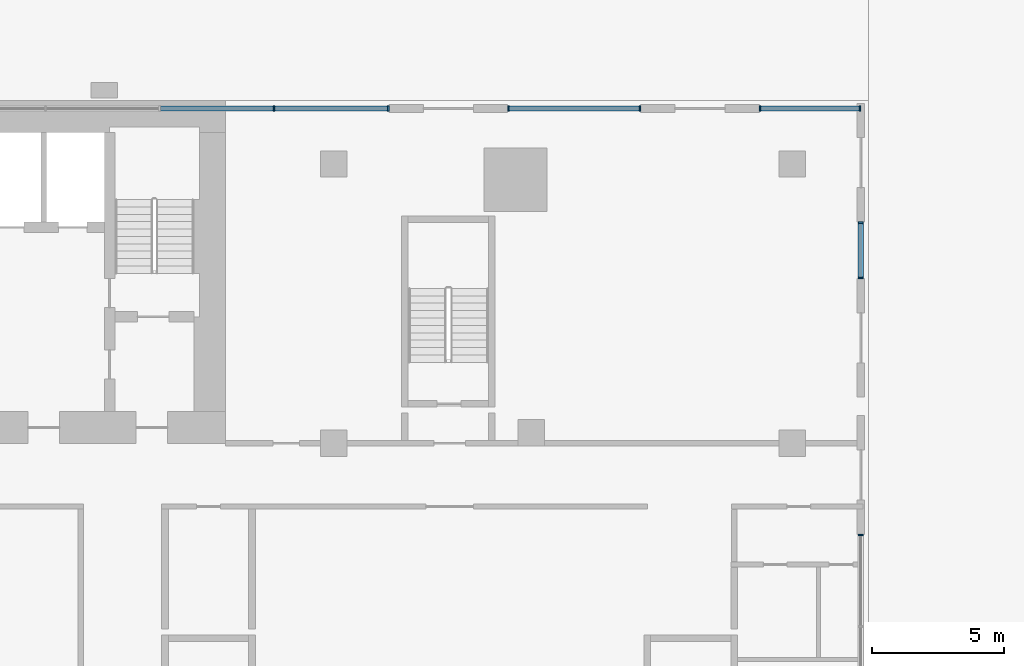
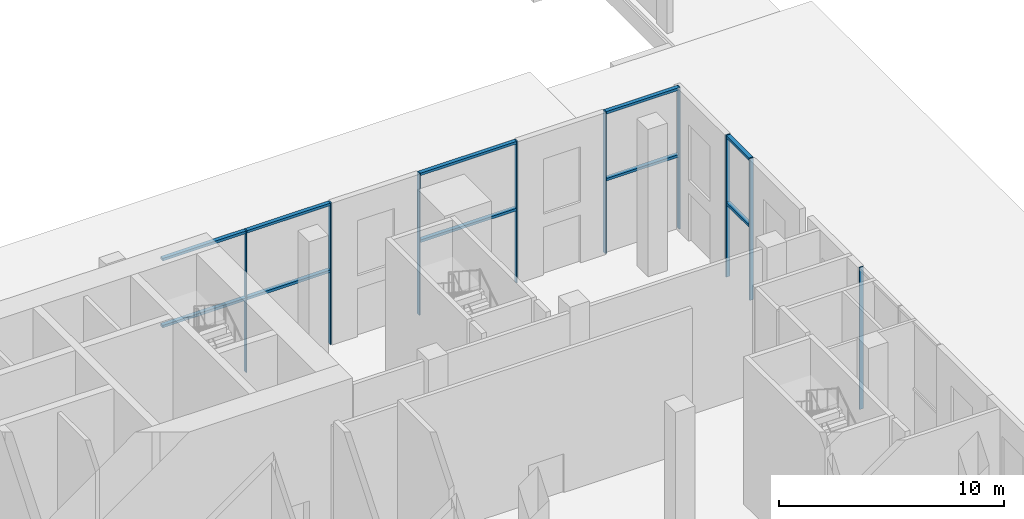
# One storey, part 15 of 31: 19 members, 5 elements without a shape of their own.
"""IFC4 building model written with IfcOpenShell, lengths in metres."""

import ifcopenshell
import ifcopenshell.guid

model = None  # the IFC model being written
_history = None  # IfcOwnerHistory: only IFC2X3 demands one
_inside = {}  # id of a spatial element -> (the spatial element, [elements in it])
_under = {}  # id of a project, library or spatial element -> (it, [spatial elements below it])
_declared = {}  # id of a project -> (the project, [libraries it declares])
_typed = {}  # id of a type object -> (the type object, [elements of that type])
_made_of = {}  # id of a material, layer set ... -> (it, [elements and type objects made of it])


def new_model(schema):
    """Start an empty IFC model of exactly this schema.

    Asked for "IFC4X3", IfcOpenShell would pick the latest addendum, in which some entities
    have other attributes; the version numbers below select the first issue.
    IFC2X3 requires an IfcOwnerHistory on every rooted entity: one is made here for all.
    """
    global model, _history
    if schema == "IFC4X3":
        model = ifcopenshell.file(schema_version=(4, 3, 0, 0))
    else:
        model = ifcopenshell.file(schema=schema)
    _inside.clear()
    _under.clear()
    _declared.clear()
    _typed.clear()
    _made_of.clear()
    _history = None
    if model.schema == "IFC2X3":
        org = make("IfcOrganization", Name="unknown")
        user = make(
            "IfcPersonAndOrganization",
            ThePerson=make("IfcPerson", FamilyName="unknown"),
            TheOrganization=org,
        )
        app = make(
            "IfcApplication",
            ApplicationDeveloper=org,
            Version="unknown",
            ApplicationFullName="unknown",
            ApplicationIdentifier="unknown",
        )
        _history = make(
            "IfcOwnerHistory",
            OwningUser=user,
            OwningApplication=app,
            ChangeAction="ADDED",
            CreationDate=0,
        )
    return model


def make(cls, **values):
    """One entity of the class cls with the attributes given. An attribute that is None is left unset."""
    return model.create_entity(
        cls, **{name: value for name, value in values.items() if value is not None}
    )


def rooted(cls, **values):
    """An entity with a GlobalId (a new one), such as an element, a storey or a relation."""
    return make(cls, GlobalId=ifcopenshell.guid.new(), OwnerHistory=_history, **values)


def si_unit(unit_type, name, prefix=None):
    """IfcSIUnit, for example si_unit("LENGTHUNIT", "METRE", prefix="MILLI")."""
    return make("IfcSIUnit", UnitType=unit_type, Prefix=prefix, Name=name)


def assignment(units):
    """IfcUnitAssignment: the units of a project."""
    return None if units is None else make("IfcUnitAssignment", Units=units)


def point(xyz):
    """IfcCartesianPoint."""
    return None if xyz is None else make("IfcCartesianPoint", Coordinates=xyz)


def direction(xyz):
    """IfcDirection."""
    return None if xyz is None else make("IfcDirection", DirectionRatios=xyz)


def frame(location, z_axis=None, x_axis=None):
    """IfcAxis2Placement3D, a coordinate frame: its origin and axes. An axis left out is left unset."""
    return make(
        "IfcAxis2Placement3D",
        Location=point(location),
        Axis=direction(z_axis),
        RefDirection=direction(x_axis),
    )


def frame_2d(location, x_axis=None):
    """IfcAxis2Placement2D, a coordinate frame in the plane: its origin and x axis."""
    return make(
        "IfcAxis2Placement2D", Location=point(location), RefDirection=direction(x_axis)
    )


def origin():
    """The frame at (0, 0, 0) with its axes left unset."""
    return frame((0.0, 0.0, 0.0))


def origin_2d():
    """The frame at (0, 0) in the plane with its x axis left unset."""
    return frame_2d((0.0, 0.0))


def place(relative_to, where):
    """IfcLocalPlacement: puts the frame where relative to a parent placement (None: the world)."""
    return make(
        "IfcLocalPlacement", PlacementRelTo=relative_to, RelativePlacement=where
    )


def context(
    kind, dimensions, precision=None, world=None, true_north=None, identifier=None
):
    """IfcGeometricRepresentationContext, for example the 3D "Model" context."""
    return make(
        "IfcGeometricRepresentationContext",
        ContextIdentifier=identifier,
        ContextType=kind,
        CoordinateSpaceDimension=dimensions,
        Precision=precision,
        WorldCoordinateSystem=world,
        TrueNorth=true_north,
    )


def subcontext(parent, identifier, kind, view, scale=None):
    """IfcGeometricRepresentationSubContext, for example "Body" below "Model"."""
    return make(
        "IfcGeometricRepresentationSubContext",
        ContextIdentifier=identifier,
        ContextType=kind,
        ParentContext=parent,
        TargetScale=scale,
        TargetView=view,
    )


def project(units=None, contexts=None):
    """IfcProject with its units and contexts."""
    return rooted(
        "IfcProject",
        Name="project",
        RepresentationContexts=contexts,
        UnitsInContext=assignment(units),
    )


def spatial(cls, under=None, at=None, **own):
    """A site, building, storey or space (cls), placed at a placement, below another one or the project."""
    s = rooted(cls, ObjectPlacement=at, **own)
    if under is not None:
        _under.setdefault(under.id(), (under, []))[1].append(s)
    return s


def profile(cls, at=None, kind="AREA", **sizes):
    """A parametric profile (cls). Its sizes go by their IFC names, for example OverallWidth=200.0."""
    return make(cls, ProfileType=kind, Position=at, **sizes)


def rectangle(**sizes):
    """IfcRectangleProfileDef."""
    return profile("IfcRectangleProfileDef", **sizes)


def extrude(swept, where, along, depth):
    """IfcExtrudedAreaSolid: the profile swept, set in the frame where, extruded along a direction by depth."""
    return make(
        "IfcExtrudedAreaSolid",
        SweptArea=swept,
        Position=where,
        ExtrudedDirection=direction(along),
        Depth=depth,
    )


def shape(context_of_items, identifier, shape_type, items):
    """IfcShapeRepresentation: the items that make up one representation, for example the "Body"."""
    return make(
        "IfcShapeRepresentation",
        ContextOfItems=context_of_items,
        RepresentationIdentifier=identifier,
        RepresentationType=shape_type,
        Items=items,
    )


def material(Name=None, Category=None):
    """IfcMaterial."""
    return make("IfcMaterial", Name=Name, Category=Category)


def material_profile(
    of_material, cross_section, Name=None, Category=None, Priority=None
):
    """IfcMaterialProfile: a cross section and its material."""
    return make(
        "IfcMaterialProfile",
        Name=Name,
        Material=of_material,
        Profile=cross_section,
        Priority=Priority,
        Category=Category,
    )


def profile_set(profiles, Name=None, composite=None):
    """IfcMaterialProfileSet."""
    return make(
        "IfcMaterialProfileSet",
        Name=Name,
        MaterialProfiles=profiles,
        CompositeProfile=composite,
    )


def made_of(thing, what):
    """Note that an element or type object is made of a material, layer set ...; save() writes the relation."""
    if what is not None:
        _made_of.setdefault(what.id(), (what, []))[1].append(thing)
    return thing


def type_object(cls, material=None, **own):
    """A type object (cls), such as IfcWallType, which elements share."""
    return made_of(rooted(cls, **own), material)


def element(
    cls,
    number,
    at=None,
    inside=None,
    cuts=None,
    type_object=None,
    material=None,
    context=None,
    identifier="Body",
    shape_type=None,
    held_by="IfcProductDefinitionShape",
    body=None,
    shapes=None,
    **own,
):
    """One element of the class cls, such as IfcWall. Its Tag is "e" and its number.

    at: its placement. inside: the storey or other place that contains it. cuts: it is an
    opening in that element (IfcRelVoidsElement). A single representation is given by context,
    identifier, shape_type and body (its items); several are given by shapes. held_by: the class
    of the entity that holds the representations. save() writes the other relations.
    """
    e = rooted(cls, Tag="e%d" % number, ObjectPlacement=at, **own)
    if body is not None:
        shapes = [shape(context, identifier, shape_type, body)]
    if shapes is not None:
        e.Representation = make(held_by, Representations=shapes)
    if inside is not None:
        _inside.setdefault(inside.id(), (inside, []))[1].append(e)
    if cuts is not None:
        rooted(
            "IfcRelVoidsElement", RelatingBuildingElement=cuts, RelatedOpeningElement=e
        )
    if type_object is not None:
        _typed.setdefault(type_object.id(), (type_object, []))[1].append(e)
    return made_of(e, material)


def aggregate(whole, parts):
    """IfcRelAggregates: a whole, such as a stair, and the parts it consists of."""
    return rooted("IfcRelAggregates", RelatingObject=whole, RelatedObjects=parts)


def save(model, path):
    """Write the relations noted so far, then the file.

    IfcRelAggregates (storeys below a building ...), IfcRelContainedInSpatialStructure (elements
    in a storey), IfcRelDefinesByType, IfcRelAssociatesMaterial and IfcRelDeclares: one each for
    every whole, place, type object, material and project.
    """
    for whole, parts in _under.values():
        aggregate(whole, parts)
    for where, things in _inside.values():
        rooted(
            "IfcRelContainedInSpatialStructure",
            RelatedElements=things,
            RelatingStructure=where,
        )
    for kind, things in _typed.values():
        rooted("IfcRelDefinesByType", RelatedObjects=things, RelatingType=kind)
    for what, things in _made_of.values():
        rooted("IfcRelAssociatesMaterial", RelatedObjects=things, RelatingMaterial=what)
    for by, libraries in _declared.values():
        rooted("IfcRelDeclares", RelatingContext=by, RelatedDefinitions=libraries)
    model.write(path)


model = new_model("IFC4")

# Units and contexts
model_context = context("Model", 3, precision=1e-05, world=origin(), true_north=direction((0.0, 1.0)))
body_context = subcontext(model_context, "Body", "Model", "MODEL_VIEW")
ifc_project = project(units=[si_unit("LENGTHUNIT", "METRE"), si_unit("AREAUNIT", "SQUARE_METRE"), si_unit("VOLUMEUNIT", "CUBIC_METRE"), si_unit("PLANEANGLEUNIT", "RADIAN"), si_unit("MASSUNIT", "GRAM", prefix="KILO")], contexts=[model_context])

# Site, building, storey
site_placement = place(None, origin())
site = spatial("IfcSite", under=ifc_project, at=site_placement, CompositionType="ELEMENT")
building_placement = place(site_placement, origin())
building = spatial("IfcBuilding", under=site, at=building_placement, Name="Bicima Exchange Tower", CompositionType="ELEMENT")
storey_placement = place(building_placement, origin())
storey = spatial("IfcBuildingStorey", under=building, at=storey_placement, Name="L00", CompositionType="ELEMENT", Elevation=0.0)

# Curtain wall, member
ifc_material = material(Name="Anodised bronze aluminium", Category="aluminium")
curtain_wall_type = type_object("IfcCurtainWallType", Name="Lobby glazing", PredefinedType="NOTDEFINED", material=ifc_material)
curtain_wall_1_placement = place(storey_placement, origin())
curtain_wall_1 = element("IfcCurtainWall", 1, at=curtain_wall_1_placement, inside=storey, type_object=curtain_wall_type, Name="Podium glazing L00 east 6", PredefinedType="NOTDEFINED")
ifc_material_profile_1 = material_profile(ifc_material, rectangle(XDim=0.199951171875, YDim=0.06005859375, at=origin_2d()))
ifc_profile_set_1 = profile_set([ifc_material_profile_1], Name="Anodised bronze aluminium")
member_type_1 = type_object("IfcMemberType", Name="Lobby glazing mullion 60 x 200", PredefinedType="MULLION", material=ifc_profile_set_1)
member_1_placement = place(storey_placement, frame((46.10009765625, -16.47998046875, 0.0), z_axis=(0.0, 0.0, 1.0), x_axis=(-1.0, 0.0, 0.0)))
member_1 = element("IfcMember", 2, at=member_1_placement, type_object=member_type_1, Name="Lobby glazing mullion 3", PredefinedType="MULLION", context=body_context, shape_type="SweptSolid", body=[
    extrude(rectangle(XDim=0.199951171875, YDim=0.06005859375, at=origin_2d()), origin(), (0.0, 0.0, 1.0), 7.699951171875),
])
aggregate(curtain_wall_1, [member_1])

# Curtain wall, members
curtain_wall_2_placement = place(storey_placement, origin())
curtain_wall_2 = element("IfcCurtainWall", 3, at=curtain_wall_2_placement, inside=storey, type_object=curtain_wall_type, Name="Podium glazing L00 east 9", PredefinedType="NOTDEFINED")
member_2_placement = place(storey_placement, frame((46.10009765625, -6.719970703125, 0.0), z_axis=(0.0, 0.0, 1.0), x_axis=(-1.0, 0.0, 0.0)))
member_2 = element("IfcMember", 4, at=member_2_placement, type_object=member_type_1, Name="Lobby glazing mullion 1", PredefinedType="MULLION", context=body_context, shape_type="SweptSolid", body=[
    extrude(rectangle(XDim=0.199951171875, YDim=0.06005859375, at=origin_2d()), origin(), (0.0, 0.0, 1.0), 7.699951171875),
])
member_3_placement = place(storey_placement, frame((46.10009765625, -4.6298828125, 0.0), z_axis=(0.0, 0.0, 1.0), x_axis=(-1.0, 0.0, 0.0)))
member_3 = element("IfcMember", 5, at=member_3_placement, type_object=member_type_1, Name="Lobby glazing mullion 2", PredefinedType="MULLION", context=body_context, shape_type="SweptSolid", body=[
    extrude(rectangle(XDim=0.199951171875, YDim=0.06005859375, at=origin_2d()), origin(), (0.0, 0.0, 1.0), 7.699951171875),
])

curtain_wall_3_placement = place(storey_placement, origin())
curtain_wall_3 = element("IfcCurtainWall", 6, at=curtain_wall_3_placement, inside=storey, type_object=curtain_wall_type, Name="Podium glazing L00 north 1", PredefinedType="NOTDEFINED")
member_4_placement = place(storey_placement, frame((46.070068359375, -0.300048828125, 0.0), z_axis=(0.0, 0.0, 1.0), x_axis=(0.0, -1.0, 0.0)))
member_4 = element("IfcMember", 7, at=member_4_placement, type_object=member_type_1, Name="Lobby glazing mullion 1", PredefinedType="MULLION", context=body_context, shape_type="SweptSolid", body=[
    extrude(rectangle(XDim=0.199951171875, YDim=0.06005859375, at=origin_2d()), origin(), (0.0, 0.0, 1.0), 7.699951171875),
])
member_5_placement = place(storey_placement, frame((42.280029296875, -0.300048828125, 0.0), z_axis=(0.0, 0.0, 1.0), x_axis=(0.0, -1.0, 0.0)))
member_5 = element("IfcMember", 8, at=member_5_placement, type_object=member_type_1, Name="Lobby glazing mullion 2", PredefinedType="MULLION", context=body_context, shape_type="SweptSolid", body=[
    extrude(rectangle(XDim=0.199951171875, YDim=0.06005859375, at=origin_2d()), origin(), (0.0, 0.0, 1.0), 7.699951171875),
])

curtain_wall_4_placement = place(storey_placement, origin())
curtain_wall_4 = element("IfcCurtainWall", 9, at=curtain_wall_4_placement, inside=storey, type_object=curtain_wall_type, Name="Podium glazing L00 north 3", PredefinedType="NOTDEFINED")
member_6_placement = place(storey_placement, frame((37.719970703125, -0.300048828125, 0.0), z_axis=(0.0, 0.0, 1.0), x_axis=(0.0, -1.0, 0.0)))
member_6 = element("IfcMember", 10, at=member_6_placement, type_object=member_type_1, Name="Lobby glazing mullion 1", PredefinedType="MULLION", context=body_context, shape_type="SweptSolid", body=[
    extrude(rectangle(XDim=0.199951171875, YDim=0.06005859375, at=origin_2d()), origin(), (0.0, 0.0, 1.0), 7.699951171875),
])
member_7_placement = place(storey_placement, frame((32.72998046875, -0.300048828125, 0.0), z_axis=(0.0, 0.0, 1.0), x_axis=(0.0, -1.0, 0.0)))
member_7 = element("IfcMember", 11, at=member_7_placement, type_object=member_type_1, Name="Lobby glazing mullion 2", PredefinedType="MULLION", context=body_context, shape_type="SweptSolid", body=[
    extrude(rectangle(XDim=0.199951171875, YDim=0.06005859375, at=origin_2d()), origin(), (0.0, 0.0, 1.0), 7.699951171875),
])

curtain_wall_5_placement = place(storey_placement, origin())
curtain_wall_5 = element("IfcCurtainWall", 12, at=curtain_wall_5_placement, inside=storey, type_object=curtain_wall_type, Name="Podium glazing L00 north 5", PredefinedType="NOTDEFINED")
member_8_placement = place(storey_placement, frame((28.169921875, -0.300048828125, 0.0), z_axis=(0.0, 0.0, 1.0), x_axis=(0.0, -1.0, 0.0)))
member_8 = element("IfcMember", 13, at=member_8_placement, type_object=member_type_1, Name="Lobby glazing mullion 1", PredefinedType="MULLION", context=body_context, shape_type="SweptSolid", body=[
    extrude(rectangle(XDim=0.199951171875, YDim=0.06005859375, at=origin_2d()), origin(), (0.0, 0.0, 1.0), 7.699951171875),
])
member_9_placement = place(storey_placement, frame((23.836181640625, -0.300048828125, 0.0), z_axis=(0.0, 0.0, 1.0), x_axis=(0.0, -1.0, 0.0)))
member_9 = element("IfcMember", 14, at=member_9_placement, type_object=member_type_1, Name="Lobby glazing mullion 2", PredefinedType="MULLION", context=body_context, shape_type="SweptSolid", body=[
    extrude(rectangle(XDim=0.199951171875, YDim=0.06005859375, at=origin_2d()), origin(), (0.0, 0.0, 1.0), 7.699951171875),
])

# Member
ifc_material_profile_2 = material_profile(ifc_material, rectangle(XDim=0.199951171875, YDim=0.139892578125, at=origin_2d()))
ifc_profile_set_2 = profile_set([ifc_material_profile_2], Name="Anodised bronze aluminium")
member_type_2 = type_object("IfcMemberType", Name="Lobby glazing transom 140 x 200", PredefinedType="USERDEFINED", material=ifc_profile_set_2)
member_10_placement = place(storey_placement, frame((46.10009765625, -6.68994140625, 4.0), z_axis=(0.0, 1.0, 0.0), x_axis=(-1.0, 0.0, 0.0)))
member_10 = element("IfcMember", 15, at=member_10_placement, type_object=member_type_2, Name="Lobby glazing transom 1.1", ObjectType="TRANSOM", PredefinedType="USERDEFINED", context=body_context, shape_type="SweptSolid", body=[
    extrude(rectangle(XDim=0.199951171875, YDim=0.139892578125, at=origin_2d()), origin(), (0.0, 0.0, 1.0), 2.030029296875),
])

member_11_placement = place(storey_placement, frame((46.10009765625, -6.68994140625, 7.6298828125), z_axis=(0.0, 1.0, 0.0), x_axis=(-1.0, 0.0, 0.0)))
member_11 = element("IfcMember", 16, at=member_11_placement, type_object=member_type_2, Name="Lobby glazing transom 1.2", ObjectType="TRANSOM", PredefinedType="USERDEFINED", context=body_context, shape_type="SweptSolid", body=[
    extrude(rectangle(XDim=0.199951171875, YDim=0.139892578125, at=origin_2d()), origin(), (0.0, 0.0, 1.0), 2.030029296875),
])

aggregate(curtain_wall_2, [member_2, member_3, member_10, member_11])

member_12_placement = place(storey_placement, frame((46.0400390625, -0.300048828125, 4.0), z_axis=(-1.0, 0.0, 0.0), x_axis=(0.0, -1.0, 0.0)))
member_12 = element("IfcMember", 17, at=member_12_placement, type_object=member_type_2, Name="Lobby glazing transom 1.1", ObjectType="TRANSOM", PredefinedType="USERDEFINED", context=body_context, shape_type="SweptSolid", body=[
    extrude(rectangle(XDim=0.199951171875, YDim=0.139892578125, at=origin_2d()), origin(), (0.0, 0.0, 1.0), 3.72998046875),
])

member_13_placement = place(storey_placement, frame((46.0400390625, -0.300048828125, 7.6298828125), z_axis=(-1.0, 0.0, 0.0), x_axis=(0.0, -1.0, 0.0)))
member_13 = element("IfcMember", 18, at=member_13_placement, type_object=member_type_2, Name="Lobby glazing transom 1.2", ObjectType="TRANSOM", PredefinedType="USERDEFINED", context=body_context, shape_type="SweptSolid", body=[
    extrude(rectangle(XDim=0.199951171875, YDim=0.139892578125, at=origin_2d()), origin(), (0.0, 0.0, 1.0), 3.72998046875),
])

aggregate(curtain_wall_3, [member_4, member_5, member_12, member_13])

member_14_placement = place(storey_placement, frame((37.68994140625, -0.300048828125, 4.0), z_axis=(-1.0, 0.0, 0.0), x_axis=(0.0, -1.0, 0.0)))
member_14 = element("IfcMember", 19, at=member_14_placement, type_object=member_type_2, Name="Lobby glazing transom 1.1", ObjectType="TRANSOM", PredefinedType="USERDEFINED", context=body_context, shape_type="SweptSolid", body=[
    extrude(rectangle(XDim=0.199951171875, YDim=0.139892578125, at=origin_2d()), origin(), (0.0, 0.0, 1.0), 4.929931640625),
])

member_15_placement = place(storey_placement, frame((37.68994140625, -0.300048828125, 7.6298828125), z_axis=(-1.0, 0.0, 0.0), x_axis=(0.0, -1.0, 0.0)))
member_15 = element("IfcMember", 20, at=member_15_placement, type_object=member_type_2, Name="Lobby glazing transom 1.2", ObjectType="TRANSOM", PredefinedType="USERDEFINED", context=body_context, shape_type="SweptSolid", body=[
    extrude(rectangle(XDim=0.199951171875, YDim=0.139892578125, at=origin_2d()), origin(), (0.0, 0.0, 1.0), 4.929931640625),
])

aggregate(curtain_wall_4, [member_6, member_7, member_14, member_15])

member_16_placement = place(storey_placement, frame((28.139892578125, -0.300048828125, 4.0), z_axis=(-1.0, 0.0, 0.0), x_axis=(0.0, -1.0, 0.0)))
member_16 = element("IfcMember", 21, at=member_16_placement, type_object=member_type_2, Name="Lobby glazing transom 1.1", ObjectType="TRANSOM", PredefinedType="USERDEFINED", context=body_context, shape_type="SweptSolid", body=[
    extrude(rectangle(XDim=0.199951171875, YDim=0.139892578125, at=origin_2d()), origin(), (0.0, 0.0, 1.0), 4.273681640625),
])

member_17_placement = place(storey_placement, frame((28.139892578125, -0.300048828125, 7.6298828125), z_axis=(-1.0, 0.0, 0.0), x_axis=(0.0, -1.0, 0.0)))
member_17 = element("IfcMember", 22, at=member_17_placement, type_object=member_type_2, Name="Lobby glazing transom 1.2", ObjectType="TRANSOM", PredefinedType="USERDEFINED", context=body_context, shape_type="SweptSolid", body=[
    extrude(rectangle(XDim=0.199951171875, YDim=0.139892578125, at=origin_2d()), origin(), (0.0, 0.0, 1.0), 4.273681640625),
])

member_18_placement = place(storey_placement, frame((23.80615234375, -0.300048828125, 4.0), z_axis=(-1.0, 0.0, 0.0), x_axis=(0.0, -1.0, 0.0)))
member_18 = element("IfcMember", 23, at=member_18_placement, type_object=member_type_2, Name="Lobby glazing transom 2.1", ObjectType="TRANSOM", PredefinedType="USERDEFINED", context=body_context, shape_type="SweptSolid", body=[
    extrude(rectangle(XDim=0.199951171875, YDim=0.139892578125, at=origin_2d()), origin(), (0.0, 0.0, 1.0), 4.27392578125),
])

member_19_placement = place(storey_placement, frame((23.80615234375, -0.300048828125, 7.6298828125), z_axis=(-1.0, 0.0, 0.0), x_axis=(0.0, -1.0, 0.0)))
member_19 = element("IfcMember", 24, at=member_19_placement, type_object=member_type_2, Name="Lobby glazing transom 2.2", ObjectType="TRANSOM", PredefinedType="USERDEFINED", context=body_context, shape_type="SweptSolid", body=[
    extrude(rectangle(XDim=0.199951171875, YDim=0.139892578125, at=origin_2d()), origin(), (0.0, 0.0, 1.0), 4.27392578125),
])

aggregate(curtain_wall_5, [member_8, member_9, member_16, member_17, member_18, member_19])

save(model, "model.ifc")
